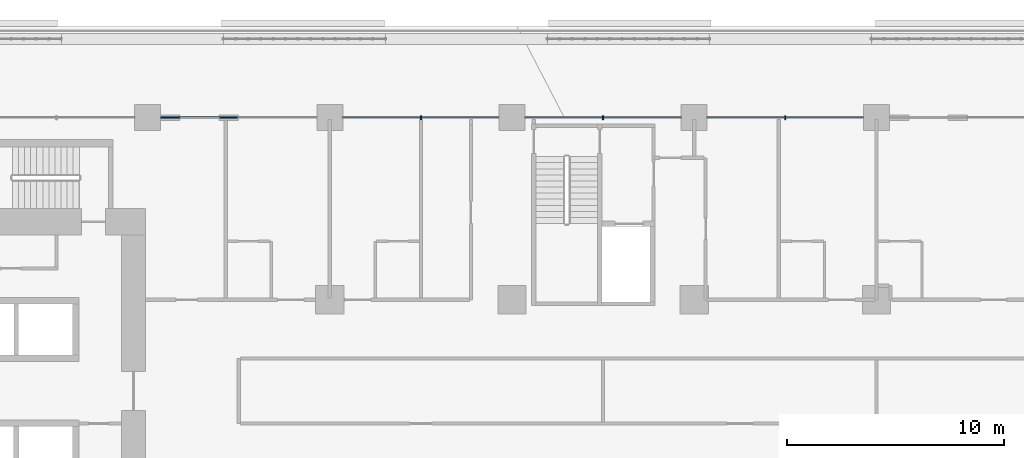
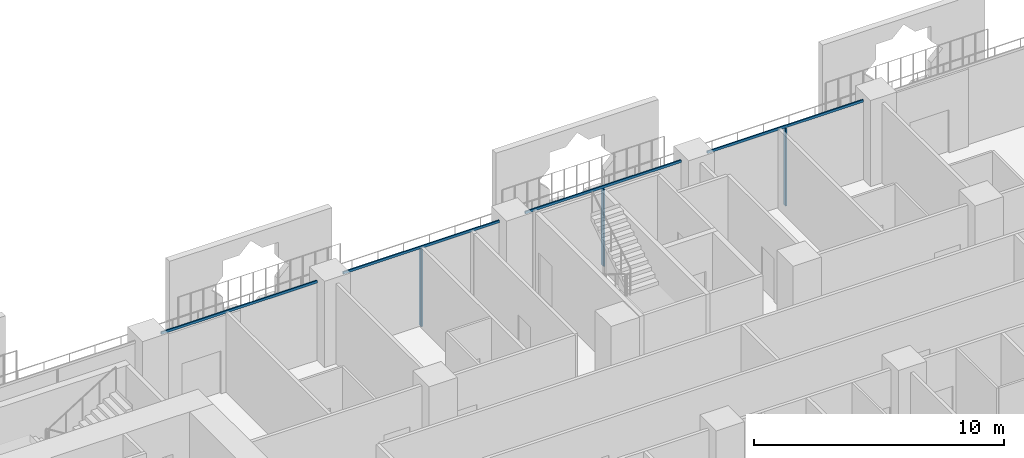
# One storey, part 9 of 28: 7 members, 1 element without a shape of its own.
"""IFC4 building model written with IfcOpenShell, lengths in metres."""

import ifcopenshell
import ifcopenshell.guid

model = None  # the IFC model being written
_history = None  # IfcOwnerHistory: only IFC2X3 demands one
_inside = {}  # id of a spatial element -> (the spatial element, [elements in it])
_under = {}  # id of a project, library or spatial element -> (it, [spatial elements below it])
_declared = {}  # id of a project -> (the project, [libraries it declares])
_typed = {}  # id of a type object -> (the type object, [elements of that type])
_made_of = {}  # id of a material, layer set ... -> (it, [elements and type objects made of it])


def new_model(schema):
    """Start an empty IFC model of exactly this schema.

    Asked for "IFC4X3", IfcOpenShell would pick the latest addendum, in which some entities
    have other attributes; the version numbers below select the first issue.
    IFC2X3 requires an IfcOwnerHistory on every rooted entity: one is made here for all.
    """
    global model, _history
    if schema == "IFC4X3":
        model = ifcopenshell.file(schema_version=(4, 3, 0, 0))
    else:
        model = ifcopenshell.file(schema=schema)
    _inside.clear()
    _under.clear()
    _declared.clear()
    _typed.clear()
    _made_of.clear()
    _history = None
    if model.schema == "IFC2X3":
        org = make("IfcOrganization", Name="unknown")
        user = make(
            "IfcPersonAndOrganization",
            ThePerson=make("IfcPerson", FamilyName="unknown"),
            TheOrganization=org,
        )
        app = make(
            "IfcApplication",
            ApplicationDeveloper=org,
            Version="unknown",
            ApplicationFullName="unknown",
            ApplicationIdentifier="unknown",
        )
        _history = make(
            "IfcOwnerHistory",
            OwningUser=user,
            OwningApplication=app,
            ChangeAction="ADDED",
            CreationDate=0,
        )
    return model


def make(cls, **values):
    """One entity of the class cls with the attributes given. An attribute that is None is left unset."""
    return model.create_entity(
        cls, **{name: value for name, value in values.items() if value is not None}
    )


def rooted(cls, **values):
    """An entity with a GlobalId (a new one), such as an element, a storey or a relation."""
    return make(cls, GlobalId=ifcopenshell.guid.new(), OwnerHistory=_history, **values)


def si_unit(unit_type, name, prefix=None):
    """IfcSIUnit, for example si_unit("LENGTHUNIT", "METRE", prefix="MILLI")."""
    return make("IfcSIUnit", UnitType=unit_type, Prefix=prefix, Name=name)


def assignment(units):
    """IfcUnitAssignment: the units of a project."""
    return None if units is None else make("IfcUnitAssignment", Units=units)


def point(xyz):
    """IfcCartesianPoint."""
    return None if xyz is None else make("IfcCartesianPoint", Coordinates=xyz)


def direction(xyz):
    """IfcDirection."""
    return None if xyz is None else make("IfcDirection", DirectionRatios=xyz)


def frame(location, z_axis=None, x_axis=None):
    """IfcAxis2Placement3D, a coordinate frame: its origin and axes. An axis left out is left unset."""
    return make(
        "IfcAxis2Placement3D",
        Location=point(location),
        Axis=direction(z_axis),
        RefDirection=direction(x_axis),
    )


def frame_2d(location, x_axis=None):
    """IfcAxis2Placement2D, a coordinate frame in the plane: its origin and x axis."""
    return make(
        "IfcAxis2Placement2D", Location=point(location), RefDirection=direction(x_axis)
    )


def origin():
    """The frame at (0, 0, 0) with its axes left unset."""
    return frame((0.0, 0.0, 0.0))


def origin_2d():
    """The frame at (0, 0) in the plane with its x axis left unset."""
    return frame_2d((0.0, 0.0))


def place(relative_to, where):
    """IfcLocalPlacement: puts the frame where relative to a parent placement (None: the world)."""
    return make(
        "IfcLocalPlacement", PlacementRelTo=relative_to, RelativePlacement=where
    )


def context(
    kind, dimensions, precision=None, world=None, true_north=None, identifier=None
):
    """IfcGeometricRepresentationContext, for example the 3D "Model" context."""
    return make(
        "IfcGeometricRepresentationContext",
        ContextIdentifier=identifier,
        ContextType=kind,
        CoordinateSpaceDimension=dimensions,
        Precision=precision,
        WorldCoordinateSystem=world,
        TrueNorth=true_north,
    )


def subcontext(parent, identifier, kind, view, scale=None):
    """IfcGeometricRepresentationSubContext, for example "Body" below "Model"."""
    return make(
        "IfcGeometricRepresentationSubContext",
        ContextIdentifier=identifier,
        ContextType=kind,
        ParentContext=parent,
        TargetScale=scale,
        TargetView=view,
    )


def project(units=None, contexts=None):
    """IfcProject with its units and contexts."""
    return rooted(
        "IfcProject",
        Name="project",
        RepresentationContexts=contexts,
        UnitsInContext=assignment(units),
    )


def spatial(cls, under=None, at=None, **own):
    """A site, building, storey or space (cls), placed at a placement, below another one or the project."""
    s = rooted(cls, ObjectPlacement=at, **own)
    if under is not None:
        _under.setdefault(under.id(), (under, []))[1].append(s)
    return s


def profile(cls, at=None, kind="AREA", **sizes):
    """A parametric profile (cls). Its sizes go by their IFC names, for example OverallWidth=200.0."""
    return make(cls, ProfileType=kind, Position=at, **sizes)


def rectangle(**sizes):
    """IfcRectangleProfileDef."""
    return profile("IfcRectangleProfileDef", **sizes)


def extrude(swept, where, along, depth):
    """IfcExtrudedAreaSolid: the profile swept, set in the frame where, extruded along a direction by depth."""
    return make(
        "IfcExtrudedAreaSolid",
        SweptArea=swept,
        Position=where,
        ExtrudedDirection=direction(along),
        Depth=depth,
    )


def shape(context_of_items, identifier, shape_type, items):
    """IfcShapeRepresentation: the items that make up one representation, for example the "Body"."""
    return make(
        "IfcShapeRepresentation",
        ContextOfItems=context_of_items,
        RepresentationIdentifier=identifier,
        RepresentationType=shape_type,
        Items=items,
    )


def material(Name=None, Category=None):
    """IfcMaterial."""
    return make("IfcMaterial", Name=Name, Category=Category)


def layer(
    of_material, thickness, ventilated=None, Name=None, Category=None, Priority=None
):
    """IfcMaterialLayer: one layer of a wall or slab, of a material (None: an air gap)."""
    return make(
        "IfcMaterialLayer",
        Material=of_material,
        LayerThickness=thickness,
        IsVentilated=ventilated,
        Name=Name,
        Category=Category,
        Priority=Priority,
    )


def layer_set(layers, Name=None):
    """IfcMaterialLayerSet."""
    return make("IfcMaterialLayerSet", MaterialLayers=layers, LayerSetName=Name)


def material_profile(
    of_material, cross_section, Name=None, Category=None, Priority=None
):
    """IfcMaterialProfile: a cross section and its material."""
    return make(
        "IfcMaterialProfile",
        Name=Name,
        Material=of_material,
        Profile=cross_section,
        Priority=Priority,
        Category=Category,
    )


def profile_set(profiles, Name=None, composite=None):
    """IfcMaterialProfileSet."""
    return make(
        "IfcMaterialProfileSet",
        Name=Name,
        MaterialProfiles=profiles,
        CompositeProfile=composite,
    )


def made_of(thing, what):
    """Note that an element or type object is made of a material, layer set ...; save() writes the relation."""
    if what is not None:
        _made_of.setdefault(what.id(), (what, []))[1].append(thing)
    return thing


def type_object(cls, material=None, **own):
    """A type object (cls), such as IfcWallType, which elements share."""
    return made_of(rooted(cls, **own), material)


def element(
    cls,
    number,
    at=None,
    inside=None,
    cuts=None,
    type_object=None,
    material=None,
    context=None,
    identifier="Body",
    shape_type=None,
    held_by="IfcProductDefinitionShape",
    body=None,
    shapes=None,
    **own,
):
    """One element of the class cls, such as IfcWall. Its Tag is "e" and its number.

    at: its placement. inside: the storey or other place that contains it. cuts: it is an
    opening in that element (IfcRelVoidsElement). A single representation is given by context,
    identifier, shape_type and body (its items); several are given by shapes. held_by: the class
    of the entity that holds the representations. save() writes the other relations.
    """
    e = rooted(cls, Tag="e%d" % number, ObjectPlacement=at, **own)
    if body is not None:
        shapes = [shape(context, identifier, shape_type, body)]
    if shapes is not None:
        e.Representation = make(held_by, Representations=shapes)
    if inside is not None:
        _inside.setdefault(inside.id(), (inside, []))[1].append(e)
    if cuts is not None:
        rooted(
            "IfcRelVoidsElement", RelatingBuildingElement=cuts, RelatedOpeningElement=e
        )
    if type_object is not None:
        _typed.setdefault(type_object.id(), (type_object, []))[1].append(e)
    return made_of(e, material)


def aggregate(whole, parts):
    """IfcRelAggregates: a whole, such as a stair, and the parts it consists of."""
    return rooted("IfcRelAggregates", RelatingObject=whole, RelatedObjects=parts)


def save(model, path):
    """Write the relations noted so far, then the file.

    IfcRelAggregates (storeys below a building ...), IfcRelContainedInSpatialStructure (elements
    in a storey), IfcRelDefinesByType, IfcRelAssociatesMaterial and IfcRelDeclares: one each for
    every whole, place, type object, material and project.
    """
    for whole, parts in _under.values():
        aggregate(whole, parts)
    for where, things in _inside.values():
        rooted(
            "IfcRelContainedInSpatialStructure",
            RelatedElements=things,
            RelatingStructure=where,
        )
    for kind, things in _typed.values():
        rooted("IfcRelDefinesByType", RelatedObjects=things, RelatingType=kind)
    for what, things in _made_of.values():
        rooted("IfcRelAssociatesMaterial", RelatedObjects=things, RelatingMaterial=what)
    for by, libraries in _declared.values():
        rooted("IfcRelDeclares", RelatingContext=by, RelatedDefinitions=libraries)
    model.write(path)


model = new_model("IFC4")

# Units and contexts
model_context = context("Model", 3, precision=1e-05, world=origin(), true_north=direction((0.0, 1.0)))
body_context = subcontext(model_context, "Body", "Model", "MODEL_VIEW")
ifc_project = project(units=[si_unit("LENGTHUNIT", "METRE"), si_unit("AREAUNIT", "SQUARE_METRE"), si_unit("VOLUMEUNIT", "CUBIC_METRE"), si_unit("PLANEANGLEUNIT", "RADIAN"), si_unit("MASSUNIT", "GRAM", prefix="KILO")], contexts=[model_context])

# Site, building, storey
site_placement = place(None, origin())
site = spatial("IfcSite", under=ifc_project, at=site_placement, CompositionType="ELEMENT")
building_placement = place(site_placement, origin())
building = spatial("IfcBuilding", under=site, at=building_placement, Name="Kawkab Arch Medical Tower", CompositionType="ELEMENT")
storey_placement = place(building_placement, frame((0.0, 0.0, 81.199951171875)))
storey = spatial("IfcBuildingStorey", under=building, at=storey_placement, Name="L18", CompositionType="ELEMENT", Elevation=81.199951171875)

# Curtain wall, members
ifc_material_1 = material(Name="Bronze anodised aluminium curtain wall frame", Category="aluminium")
ifc_layer = layer(ifc_material_1, 0.159912109375)
ifc_layer_set = layer_set([ifc_layer], Name="Bronze anodised aluminium curtain wall frame")
curtain_wall_type = type_object("IfcCurtainWallType", Name="CW1 ward curtain wall", PredefinedType="NOTDEFINED", material=ifc_layer_set)
curtain_wall_placement = place(storey_placement, origin())
curtain_wall = element("IfcCurtainWall", 1, at=curtain_wall_placement, inside=storey, type_object=curtain_wall_type, Name="CW1 Ward curtain wall R11", PredefinedType="NOTDEFINED")
ifc_material_2 = material(Name="Bronze anodised aluminium curtain wall frame", Category="aluminium")
ifc_material_profile_1 = material_profile(ifc_material_2, rectangle(XDim=0.179931640625, YDim=0.06005859375, at=origin_2d()), Name="AL 60x180")
ifc_profile_set_1 = profile_set([ifc_material_profile_1], Name="Bronze anodised aluminium curtain wall frame")
member_type_1 = type_object("IfcMemberType", Name="CW1 mullion 60 x 180", PredefinedType="MULLION", material=ifc_profile_set_1)
member_1_placement = place(storey_placement, frame((54.60009765625, 0.0, 0.0), z_axis=(0.0, 0.0, 1.0), x_axis=(0.0, -1.0, 0.0)))
member_1 = element("IfcMember", 2, at=member_1_placement, type_object=member_type_1, Name="CW1 mullion 3.1", PredefinedType="MULLION", context=body_context, shape_type="SweptSolid", body=[
    extrude(rectangle(XDim=0.179931640625, YDim=0.06005859375, at=origin_2d()), origin(), (0.0, 0.0, 1.0), 3.780029296875),
])
member_2_placement = place(storey_placement, frame((46.199951171875, 0.0, 0.0), z_axis=(0.0, 0.0, 1.0), x_axis=(0.0, -1.0, 0.0)))
member_2 = element("IfcMember", 3, at=member_2_placement, type_object=member_type_1, Name="CW1 mullion 4.1", PredefinedType="MULLION", context=body_context, shape_type="SweptSolid", body=[
    extrude(rectangle(XDim=0.179931640625, YDim=0.06005859375, at=origin_2d()), origin(), (0.0, 0.0, 1.0), 3.780029296875),
])
member_3_placement = place(storey_placement, frame((37.800048828125, 0.0, 0.0), z_axis=(0.0, 0.0, 1.0), x_axis=(0.0, -1.0, 0.0)))
member_3 = element("IfcMember", 4, at=member_3_placement, type_object=member_type_1, Name="CW1 mullion 5.1", PredefinedType="MULLION", context=body_context, shape_type="SweptSolid", body=[
    extrude(rectangle(XDim=0.179931640625, YDim=0.06005859375, at=origin_2d()), origin(), (0.0, 0.0, 1.0), 3.780029296875),
])
ifc_material_3 = material(Name="Bronze anodised aluminium curtain wall frame", Category="aluminium")
ifc_material_profile_2 = material_profile(ifc_material_3, rectangle(XDim=0.06005859375, YDim=0.1201171875, at=origin_2d()), Name="AL 60x120")
ifc_profile_set_2 = profile_set([ifc_material_profile_2], Name="Bronze anodised aluminium curtain wall frame")
member_type_2 = type_object("IfcMemberType", Name="CW1 transom 120 x 60", PredefinedType="USERDEFINED", material=ifc_profile_set_2)
member_4_placement = place(storey_placement, frame((58.199951171875, 0.0, 3.840087890625), z_axis=(-1.0, 0.0, 0.0), x_axis=(0.0, -1.0, 0.0)))
member_4 = element("IfcMember", 5, at=member_4_placement, type_object=member_type_2, Name="CW1 transom 3", ObjectType="TRANSOM", PredefinedType="USERDEFINED", context=body_context, shape_type="SweptSolid", body=[
    extrude(rectangle(XDim=0.06005859375, YDim=0.1201171875, at=origin_2d()), origin(), (0.0, 0.0, 1.0), 7.199951171875),
])
member_5_placement = place(storey_placement, frame((49.800048828125, 0.0, 3.840087890625), z_axis=(-1.0, 0.0, 0.0), x_axis=(0.0, -1.0, 0.0)))
member_5 = element("IfcMember", 6, at=member_5_placement, type_object=member_type_2, Name="CW1 transom 4", ObjectType="TRANSOM", PredefinedType="USERDEFINED", context=body_context, shape_type="SweptSolid", body=[
    extrude(rectangle(XDim=0.06005859375, YDim=0.1201171875, at=origin_2d()), origin(), (0.0, 0.0, 1.0), 7.199951171875),
])
member_6_placement = place(storey_placement, frame((41.39990234375, 0.0, 3.840087890625), z_axis=(-1.0, 0.0, 0.0), x_axis=(0.0, -1.0, 0.0)))
member_6 = element("IfcMember", 7, at=member_6_placement, type_object=member_type_2, Name="CW1 transom 5", ObjectType="TRANSOM", PredefinedType="USERDEFINED", context=body_context, shape_type="SweptSolid", body=[
    extrude(rectangle(XDim=0.06005859375, YDim=0.1201171875, at=origin_2d()), origin(), (0.0, 0.0, 1.0), 7.199951171875),
])
member_7_placement = place(storey_placement, frame((33.0, 0.0, 3.840087890625), z_axis=(-1.0, 0.0, 0.0), x_axis=(0.0, -1.0, 0.0)))
member_7 = element("IfcMember", 8, at=member_7_placement, type_object=member_type_2, Name="CW1 transom 6", ObjectType="TRANSOM", PredefinedType="USERDEFINED", context=body_context, shape_type="SweptSolid", body=[
    extrude(rectangle(XDim=0.06005859375, YDim=0.1201171875, at=origin_2d()), origin(), (0.0, 0.0, 1.0), 7.199951171875),
])
aggregate(curtain_wall, [member_4, member_1, member_5, member_2, member_6, member_3, member_7])

save(model, "model.ifc")
